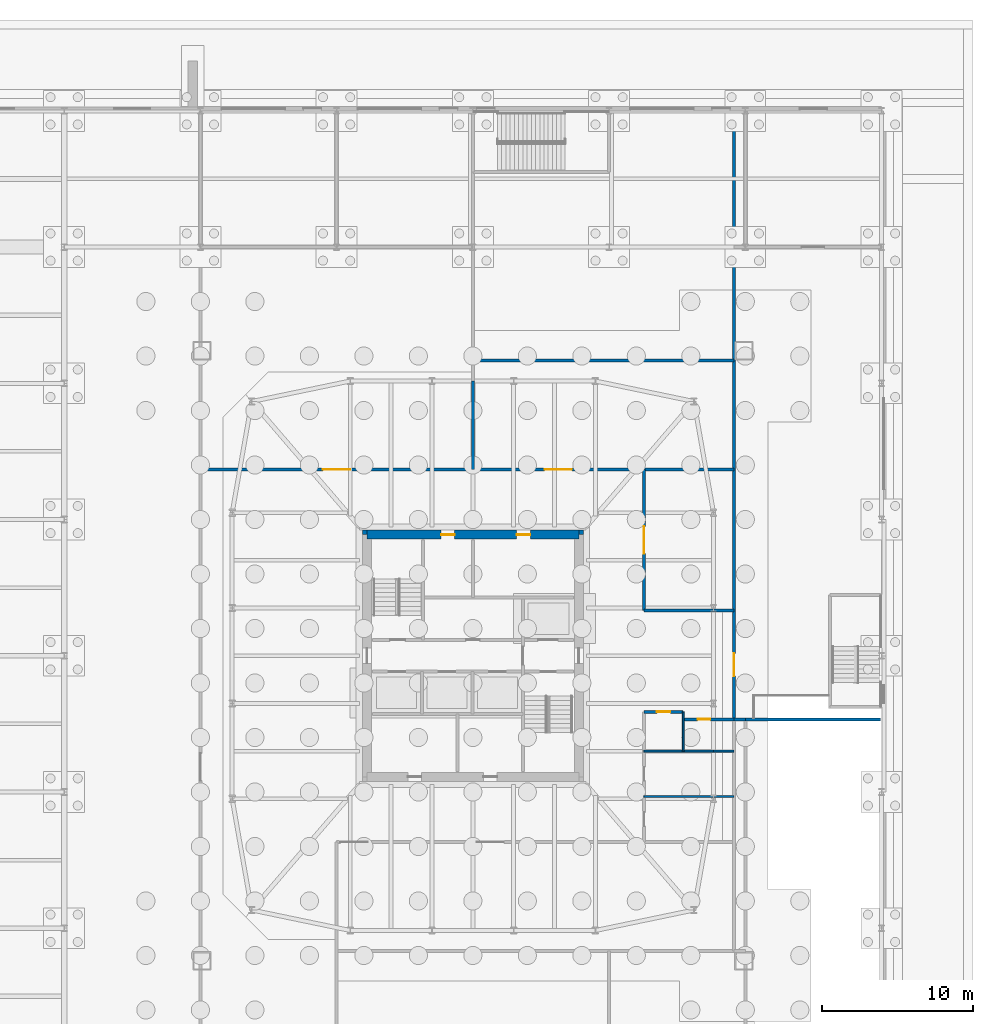
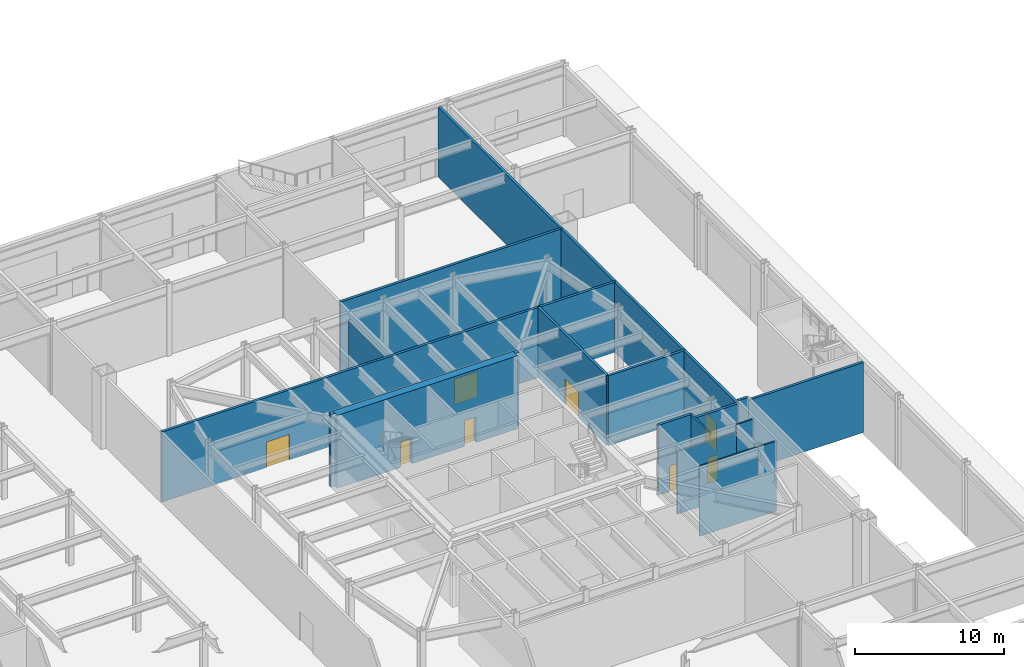
# One storey, part 18 of 37: 17 walls, 8 doors, 8 openings.
"""IFC4 building model written with IfcOpenShell, lengths in metres."""

import ifcopenshell
import ifcopenshell.guid

model = None  # the IFC model being written
_history = None  # IfcOwnerHistory: only IFC2X3 demands one
_inside = {}  # id of a spatial element -> (the spatial element, [elements in it])
_under = {}  # id of a project, library or spatial element -> (it, [spatial elements below it])
_declared = {}  # id of a project -> (the project, [libraries it declares])
_typed = {}  # id of a type object -> (the type object, [elements of that type])
_made_of = {}  # id of a material, layer set ... -> (it, [elements and type objects made of it])


def new_model(schema):
    """Start an empty IFC model of exactly this schema.

    Asked for "IFC4X3", IfcOpenShell would pick the latest addendum, in which some entities
    have other attributes; the version numbers below select the first issue.
    IFC2X3 requires an IfcOwnerHistory on every rooted entity: one is made here for all.
    """
    global model, _history
    if schema == "IFC4X3":
        model = ifcopenshell.file(schema_version=(4, 3, 0, 0))
    else:
        model = ifcopenshell.file(schema=schema)
    _inside.clear()
    _under.clear()
    _declared.clear()
    _typed.clear()
    _made_of.clear()
    _history = None
    if model.schema == "IFC2X3":
        org = make("IfcOrganization", Name="unknown")
        user = make(
            "IfcPersonAndOrganization",
            ThePerson=make("IfcPerson", FamilyName="unknown"),
            TheOrganization=org,
        )
        app = make(
            "IfcApplication",
            ApplicationDeveloper=org,
            Version="unknown",
            ApplicationFullName="unknown",
            ApplicationIdentifier="unknown",
        )
        _history = make(
            "IfcOwnerHistory",
            OwningUser=user,
            OwningApplication=app,
            ChangeAction="ADDED",
            CreationDate=0,
        )
    return model


def make(cls, **values):
    """One entity of the class cls with the attributes given. An attribute that is None is left unset."""
    return model.create_entity(
        cls, **{name: value for name, value in values.items() if value is not None}
    )


def rooted(cls, **values):
    """An entity with a GlobalId (a new one), such as an element, a storey or a relation."""
    return make(cls, GlobalId=ifcopenshell.guid.new(), OwnerHistory=_history, **values)


def si_unit(unit_type, name, prefix=None):
    """IfcSIUnit, for example si_unit("LENGTHUNIT", "METRE", prefix="MILLI")."""
    return make("IfcSIUnit", UnitType=unit_type, Prefix=prefix, Name=name)


def assignment(units):
    """IfcUnitAssignment: the units of a project."""
    return None if units is None else make("IfcUnitAssignment", Units=units)


def point(xyz):
    """IfcCartesianPoint."""
    return None if xyz is None else make("IfcCartesianPoint", Coordinates=xyz)


def direction(xyz):
    """IfcDirection."""
    return None if xyz is None else make("IfcDirection", DirectionRatios=xyz)


def frame(location, z_axis=None, x_axis=None):
    """IfcAxis2Placement3D, a coordinate frame: its origin and axes. An axis left out is left unset."""
    return make(
        "IfcAxis2Placement3D",
        Location=point(location),
        Axis=direction(z_axis),
        RefDirection=direction(x_axis),
    )


def frame_2d(location, x_axis=None):
    """IfcAxis2Placement2D, a coordinate frame in the plane: its origin and x axis."""
    return make(
        "IfcAxis2Placement2D", Location=point(location), RefDirection=direction(x_axis)
    )


def origin():
    """The frame at (0, 0, 0) with its axes left unset."""
    return frame((0.0, 0.0, 0.0))


def place(relative_to, where):
    """IfcLocalPlacement: puts the frame where relative to a parent placement (None: the world)."""
    return make(
        "IfcLocalPlacement", PlacementRelTo=relative_to, RelativePlacement=where
    )


def context(
    kind, dimensions, precision=None, world=None, true_north=None, identifier=None
):
    """IfcGeometricRepresentationContext, for example the 3D "Model" context."""
    return make(
        "IfcGeometricRepresentationContext",
        ContextIdentifier=identifier,
        ContextType=kind,
        CoordinateSpaceDimension=dimensions,
        Precision=precision,
        WorldCoordinateSystem=world,
        TrueNorth=true_north,
    )


def subcontext(parent, identifier, kind, view, scale=None):
    """IfcGeometricRepresentationSubContext, for example "Body" below "Model"."""
    return make(
        "IfcGeometricRepresentationSubContext",
        ContextIdentifier=identifier,
        ContextType=kind,
        ParentContext=parent,
        TargetScale=scale,
        TargetView=view,
    )


def project(units=None, contexts=None):
    """IfcProject with its units and contexts."""
    return rooted(
        "IfcProject",
        Name="project",
        RepresentationContexts=contexts,
        UnitsInContext=assignment(units),
    )


def spatial(cls, under=None, at=None, **own):
    """A site, building, storey or space (cls), placed at a placement, below another one or the project."""
    s = rooted(cls, ObjectPlacement=at, **own)
    if under is not None:
        _under.setdefault(under.id(), (under, []))[1].append(s)
    return s


def profile(cls, at=None, kind="AREA", **sizes):
    """A parametric profile (cls). Its sizes go by their IFC names, for example OverallWidth=200.0."""
    return make(cls, ProfileType=kind, Position=at, **sizes)


def rectangle(**sizes):
    """IfcRectangleProfileDef."""
    return profile("IfcRectangleProfileDef", **sizes)


def extrude(swept, where, along, depth):
    """IfcExtrudedAreaSolid: the profile swept, set in the frame where, extruded along a direction by depth."""
    return make(
        "IfcExtrudedAreaSolid",
        SweptArea=swept,
        Position=where,
        ExtrudedDirection=direction(along),
        Depth=depth,
    )


def shape(context_of_items, identifier, shape_type, items):
    """IfcShapeRepresentation: the items that make up one representation, for example the "Body"."""
    return make(
        "IfcShapeRepresentation",
        ContextOfItems=context_of_items,
        RepresentationIdentifier=identifier,
        RepresentationType=shape_type,
        Items=items,
    )


def material(Name=None, Category=None):
    """IfcMaterial."""
    return make("IfcMaterial", Name=Name, Category=Category)


def layer(
    of_material, thickness, ventilated=None, Name=None, Category=None, Priority=None
):
    """IfcMaterialLayer: one layer of a wall or slab, of a material (None: an air gap)."""
    return make(
        "IfcMaterialLayer",
        Material=of_material,
        LayerThickness=thickness,
        IsVentilated=ventilated,
        Name=Name,
        Category=Category,
        Priority=Priority,
    )


def layer_set(layers, Name=None):
    """IfcMaterialLayerSet."""
    return make("IfcMaterialLayerSet", MaterialLayers=layers, LayerSetName=Name)


def made_of(thing, what):
    """Note that an element or type object is made of a material, layer set ...; save() writes the relation."""
    if what is not None:
        _made_of.setdefault(what.id(), (what, []))[1].append(thing)
    return thing


def type_object(cls, material=None, **own):
    """A type object (cls), such as IfcWallType, which elements share."""
    return made_of(rooted(cls, **own), material)


def element(
    cls,
    number,
    at=None,
    inside=None,
    cuts=None,
    type_object=None,
    material=None,
    context=None,
    identifier="Body",
    shape_type=None,
    held_by="IfcProductDefinitionShape",
    body=None,
    shapes=None,
    **own,
):
    """One element of the class cls, such as IfcWall. Its Tag is "e" and its number.

    at: its placement. inside: the storey or other place that contains it. cuts: it is an
    opening in that element (IfcRelVoidsElement). A single representation is given by context,
    identifier, shape_type and body (its items); several are given by shapes. held_by: the class
    of the entity that holds the representations. save() writes the other relations.
    """
    e = rooted(cls, Tag="e%d" % number, ObjectPlacement=at, **own)
    if body is not None:
        shapes = [shape(context, identifier, shape_type, body)]
    if shapes is not None:
        e.Representation = make(held_by, Representations=shapes)
    if inside is not None:
        _inside.setdefault(inside.id(), (inside, []))[1].append(e)
    if cuts is not None:
        rooted(
            "IfcRelVoidsElement", RelatingBuildingElement=cuts, RelatedOpeningElement=e
        )
    if type_object is not None:
        _typed.setdefault(type_object.id(), (type_object, []))[1].append(e)
    return made_of(e, material)


def fill(opening, filler):
    """IfcRelFillsElement: the door or window that sits in an opening."""
    return rooted(
        "IfcRelFillsElement",
        RelatingOpeningElement=opening,
        RelatedBuildingElement=filler,
    )


def aggregate(whole, parts):
    """IfcRelAggregates: a whole, such as a stair, and the parts it consists of."""
    return rooted("IfcRelAggregates", RelatingObject=whole, RelatedObjects=parts)


def save(model, path):
    """Write the relations noted so far, then the file.

    IfcRelAggregates (storeys below a building ...), IfcRelContainedInSpatialStructure (elements
    in a storey), IfcRelDefinesByType, IfcRelAssociatesMaterial and IfcRelDeclares: one each for
    every whole, place, type object, material and project.
    """
    for whole, parts in _under.values():
        aggregate(whole, parts)
    for where, things in _inside.values():
        rooted(
            "IfcRelContainedInSpatialStructure",
            RelatedElements=things,
            RelatingStructure=where,
        )
    for kind, things in _typed.values():
        rooted("IfcRelDefinesByType", RelatedObjects=things, RelatingType=kind)
    for what, things in _made_of.values():
        rooted("IfcRelAssociatesMaterial", RelatedObjects=things, RelatingMaterial=what)
    for by, libraries in _declared.values():
        rooted("IfcRelDeclares", RelatingContext=by, RelatedDefinitions=libraries)
    model.write(path)


model = new_model("IFC4")

# Units and contexts
model_context = context("Model", 3, precision=1e-05, world=origin(), true_north=direction((0.0, 1.0)))
body_context = subcontext(model_context, "Body", "Model", "MODEL_VIEW")
ifc_project = project(units=[si_unit("LENGTHUNIT", "METRE"), si_unit("AREAUNIT", "SQUARE_METRE"), si_unit("VOLUMEUNIT", "CUBIC_METRE"), si_unit("PLANEANGLEUNIT", "RADIAN"), si_unit("MASSUNIT", "GRAM", prefix="KILO")], contexts=[model_context])

# Site, building, storey
site_placement = place(None, origin())
site = spatial("IfcSite", under=ifc_project, at=site_placement, CompositionType="ELEMENT")
building_placement = place(site_placement, origin())
building = spatial("IfcBuilding", under=site, at=building_placement, Name="Iwan Alto Co-Living Towers", CompositionType="ELEMENT")
storey_placement = place(building_placement, origin())
storey = spatial("IfcBuildingStorey", under=building, at=storey_placement, Name="L00", CompositionType="ELEMENT", Elevation=0.0)

# Wall, opening, door
ifc_material_1 = material(Name="Concrete block masonry f*p 10 MPa", Category="masonry")
ifc_layer_1 = layer(ifc_material_1, 0.199951171875)
ifc_layer_set_1 = layer_set([ifc_layer_1], Name="PODIUM INTERNAL WALL 200")
wall_type_1 = type_object("IfcWallType", Name="PODIUM INTERNAL WALL 200", PredefinedType="SOLIDWALL", material=ifc_layer_set_1)
wall_1_placement = place(storey_placement, frame((76.89990234375, -4.199951171875, 0.0), z_axis=(0.0, 0.0, 1.0), x_axis=(1.0, 0.0, 0.0)))
wall_1 = element("IfcWall", 1, at=wall_1_placement, inside=storey, type_object=wall_type_1, Name="Partition L00", PredefinedType="SOLIDWALL", context=body_context, shape_type="SweptSolid", body=[
    extrude(rectangle(XDim=3.35009765625, YDim=0.199951171875, at=frame_2d((1.675048828125, 0.0))), origin(), (0.0, 0.0, 1.0), 5.75),
])
opening_1_placement = place(wall_1_placement, frame((0.949951171875, 0.0, 0.0)))
opening_1 = element("IfcOpeningElement", 2, at=opening_1_placement, cuts=wall_1, Name="Opening D2", PredefinedType="OPENING", context=body_context, shape_type="SweptSolid", body=[
    extrude(rectangle(XDim=0.85009765625, YDim=2.10009765625, at=frame_2d((0.425048828125, 1.050048828125))), frame((0.0, 0.10986328125, 0.0), z_axis=(0.0, -1.0, 0.0), x_axis=(1.0, 0.0, 0.0)), (0.0, 0.0, 1.0), 0.219970703125),
])
ifc_material_2 = material(Name="Timber leaf in steel frame", Category="steel")
door_type_1 = type_object("IfcDoorType", Name="ROOM DOOR 850X2100", OperationType="SINGLE_SWING_LEFT", PredefinedType="DOOR", material=ifc_material_2)
door_1_placement = place(opening_1_placement, frame((0.85009765625, 0.0, 0.0), z_axis=(0.0, 0.0, 1.0), x_axis=(-1.0, 0.0, 0.0)))
door_1 = element("IfcDoor", 3, at=door_1_placement, inside=storey, type_object=door_type_1, Name="Cleaner's store door L00", OperationType="SINGLE_SWING_RIGHT", OverallHeight=2.10009765625, OverallWidth=0.85009765625, PredefinedType="DOOR", context=body_context, shape_type="SweptSolid", body=[
    extrude(rectangle(XDim=0.85009765625, YDim=2.10009765625, at=frame_2d((0.425048828125, 1.050048828125))), frame((0.0, 0.02490234375, 0.0), z_axis=(0.0, -1.0, 0.0), x_axis=(1.0, 0.0, 0.0)), (0.0, 0.0, 1.0), 0.050048828125),
])
fill(opening_1, door_1)

# Wall
wall_2_placement = place(storey_placement, frame((81.0, -4.199951171875, 0.0), z_axis=(0.0, 0.0, 1.0), x_axis=(1.0, 0.0, 0.0)))
element("IfcWall", 4, at=wall_2_placement, inside=storey, type_object=wall_type_1, Name="Partition L00", PredefinedType="SOLIDWALL", context=body_context, shape_type="SweptSolid", body=[
    extrude(rectangle(XDim=8.93994140625, YDim=0.199951171875, at=frame_2d((4.469970703125, 0.0))), origin(), (0.0, 0.0, 1.0), 5.75),
])

# Wall, opening, door
wall_3_placement = place(storey_placement, frame((74.300048828125, -3.699951171875, 0.0), z_axis=(0.0, 0.0, 1.0), x_axis=(1.0, 0.0, 0.0)))
wall_3 = element("IfcWall", 5, at=wall_3_placement, inside=storey, type_object=wall_type_1, Name="Partition L00", PredefinedType="SOLIDWALL", context=body_context, shape_type="SweptSolid", body=[
    extrude(rectangle(XDim=2.599853515625, YDim=0.199951171875, at=frame_2d((1.2998046875, 0.0))), origin(), (0.0, 0.0, 1.0), 5.75),
])
opening_2_placement = place(wall_3_placement, frame((0.85009765625, 0.0, 0.0)))
opening_2 = element("IfcOpeningElement", 6, at=opening_2_placement, cuts=wall_3, Name="Opening D4", PredefinedType="OPENING", context=body_context, shape_type="SweptSolid", body=[
    extrude(rectangle(XDim=0.89990234375, YDim=2.10009765625, at=frame_2d((0.449951171875, 1.050048828125))), frame((0.0, 0.10986328125, 0.0), z_axis=(0.0, -1.0, 0.0), x_axis=(1.0, 0.0, 0.0)), (0.0, 0.0, 1.0), 0.219970703125),
])
ifc_material_3 = material(Name="Timber leaf in steel frame", Category="steel")
door_type_2 = type_object("IfcDoorType", Name="WC DOOR 900X2100", OperationType="SINGLE_SWING_LEFT", PredefinedType="DOOR", material=ifc_material_3)
door_2_placement = place(opening_2_placement, frame((0.89990234375, 0.0, 0.0), z_axis=(0.0, 0.0, 1.0), x_axis=(-1.0, 0.0, 0.0)))
door_2 = element("IfcDoor", 7, at=door_2_placement, inside=storey, type_object=door_type_2, Name="Accessible WC door L00", OperationType="SINGLE_SWING_RIGHT", OverallHeight=2.10009765625, OverallWidth=0.89990234375, PredefinedType="DOOR", context=body_context, shape_type="SweptSolid", body=[
    extrude(rectangle(XDim=0.89990234375, YDim=2.10009765625, at=frame_2d((0.449951171875, 1.050048828125))), frame((0.0, 0.02490234375, 0.0), z_axis=(0.0, -1.0, 0.0), x_axis=(1.0, 0.0, 0.0)), (0.0, 0.0, 1.0), 0.050048828125),
])
fill(opening_2, door_2)

# Wall
wall_4_placement = place(storey_placement, frame((74.300048828125, 3.0, 0.0), z_axis=(0.0, 0.0, 1.0), x_axis=(1.0, 0.0, 0.0)))
element("IfcWall", 8, at=wall_4_placement, inside=storey, type_object=wall_type_1, Name="Partition L00", PredefinedType="SOLIDWALL", context=body_context, shape_type="SweptSolid", body=[
    extrude(rectangle(XDim=5.949951171875, YDim=0.199951171875, at=frame_2d((2.97509765625, 0.0))), origin(), (0.0, 0.0, 1.0), 5.75),
])

# Wall, openings, doors
wall_5_placement = place(storey_placement, frame((45.0, 12.300048828125, 0.0), z_axis=(0.0, 0.0, 1.0), x_axis=(1.0, 0.0, 0.0)))
wall_5 = element("IfcWall", 9, at=wall_5_placement, inside=storey, type_object=wall_type_1, Name="Partition L00", PredefinedType="SOLIDWALL", context=body_context, shape_type="SweptSolid", body=[
    extrude(rectangle(XDim=35.25, YDim=0.199951171875, at=frame_2d((17.625, 0.0))), origin(), (0.0, 0.0, 1.0), 5.75),
])
opening_3_placement = place(wall_5_placement, frame((8.10009765625, 0.0, 0.0)))
opening_3 = element("IfcOpeningElement", 10, at=opening_3_placement, cuts=wall_5, Name="Opening D9", PredefinedType="OPENING", context=body_context, shape_type="SweptSolid", body=[
    extrude(rectangle(XDim=1.800048828125, YDim=2.10009765625, at=frame_2d((0.89990234375, 1.050048828125))), frame((0.0, 0.10986328125, 0.0), z_axis=(0.0, -1.0, 0.0), x_axis=(1.0, 0.0, 0.0)), (0.0, 0.0, 1.0), 0.219970703125),
])
opening_4_placement = place(wall_5_placement, frame((22.75, 0.0, 0.0)))
opening_4 = element("IfcOpeningElement", 11, at=opening_4_placement, cuts=wall_5, Name="Opening D9", PredefinedType="OPENING", context=body_context, shape_type="SweptSolid", body=[
    extrude(rectangle(XDim=1.800048828125, YDim=2.10009765625, at=frame_2d((0.89990234375, 1.050048828125))), frame((0.0, 0.10986328125, 0.0), z_axis=(0.0, -1.0, 0.0), x_axis=(1.0, 0.0, 0.0)), (0.0, 0.0, 1.0), 0.219970703125),
])
ifc_material_4 = material(Name="Steel frame with timber leaf", Category="steel")
door_type_3 = type_object("IfcDoorType", Name="LOUNGE DOOR FD30S 1800X2100", OperationType="DOUBLE_DOOR_SINGLE_SWING", PredefinedType="DOOR", material=ifc_material_4)
door_3_placement = place(opening_3_placement, origin())
door_3 = element("IfcDoor", 12, at=door_3_placement, inside=storey, type_object=door_type_3, Name="Children's play room door L00", OperationType="DOUBLE_DOOR_SINGLE_SWING", OverallHeight=2.10009765625, OverallWidth=1.800048828125, PredefinedType="DOOR", context=body_context, shape_type="SweptSolid", body=[
    extrude(rectangle(XDim=1.800048828125, YDim=2.10009765625, at=frame_2d((0.89990234375, 1.050048828125))), frame((0.0, 0.02490234375, 0.0), z_axis=(0.0, -1.0, 0.0), x_axis=(1.0, 0.0, 0.0)), (0.0, 0.0, 1.0), 0.050048828125),
])
fill(opening_3, door_3)
door_4_placement = place(opening_4_placement, origin())
door_4 = element("IfcDoor", 13, at=door_4_placement, inside=storey, type_object=door_type_3, Name="Residents' lounge door L00", OperationType="DOUBLE_DOOR_SINGLE_SWING", OverallHeight=2.10009765625, OverallWidth=1.800048828125, PredefinedType="DOOR", context=body_context, shape_type="SweptSolid", body=[
    extrude(rectangle(XDim=1.800048828125, YDim=2.10009765625, at=frame_2d((0.89990234375, 1.050048828125))), frame((0.0, 0.02490234375, 0.0), z_axis=(0.0, -1.0, 0.0), x_axis=(1.0, 0.0, 0.0)), (0.0, 0.0, 1.0), 0.050048828125),
])
fill(opening_4, door_4)

# Wall
wall_6_placement = place(storey_placement, frame((63.0, 19.5, 0.0), z_axis=(0.0, 0.0, 1.0), x_axis=(1.0, 0.0, 0.0)))
element("IfcWall", 14, at=wall_6_placement, inside=storey, type_object=wall_type_1, Name="Partition L00", PredefinedType="SOLIDWALL", context=body_context, shape_type="SweptSolid", body=[
    extrude(rectangle(XDim=17.25, YDim=0.199951171875, at=frame_2d((8.625, 0.0))), origin(), (0.0, 0.0, 1.0), 5.75),
])

# Wall, opening, door
wall_7_placement = place(storey_placement, frame((80.25, -4.199951171875, 0.0), z_axis=(0.0, 0.0, 1.0), x_axis=(0.0, 1.0, 0.0)))
wall_7 = element("IfcWall", 15, at=wall_7_placement, inside=storey, type_object=wall_type_1, Name="Partition L00", PredefinedType="SOLIDWALL", context=body_context, shape_type="SweptSolid", body=[
    extrude(rectangle(XDim=40.139892578125, YDim=0.199951171875, at=frame_2d((20.06982421875, 0.0))), origin(), (0.0, 0.0, 1.0), 5.75),
])
opening_5_placement = place(wall_7_placement, frame((2.85009765625, 0.0, 0.0)))
opening_5 = element("IfcOpeningElement", 16, at=opening_5_placement, cuts=wall_7, Name="Opening D13", PredefinedType="OPENING", context=body_context, shape_type="SweptSolid", body=[
    extrude(rectangle(XDim=1.5, YDim=2.39990234375, at=frame_2d((0.75, 1.199951171875))), frame((0.0, 0.10986328125, 0.0), z_axis=(0.0, -1.0, 0.0), x_axis=(1.0, 0.0, 0.0)), (0.0, 0.0, 1.0), 0.219970703125),
])
ifc_material_5 = material(Name="Steel frame with timber leaf", Category="steel")
door_type_4 = type_object("IfcDoorType", Name="SERVICE DOOR FD60 1500X2400", OperationType="DOUBLE_DOOR_SINGLE_SWING", PredefinedType="DOOR", material=ifc_material_5)
door_5_placement = place(opening_5_placement, frame((1.5, 0.0, 0.0), z_axis=(0.0, 0.0, 1.0), x_axis=(-1.0, 0.0, 0.0)))
door_5 = element("IfcDoor", 17, at=door_5_placement, inside=storey, type_object=door_type_4, Name="Loading bay door L00", OperationType="DOUBLE_DOOR_SINGLE_SWING", OverallHeight=2.39990234375, OverallWidth=1.5, PredefinedType="DOOR", context=body_context, shape_type="SweptSolid", body=[
    extrude(rectangle(XDim=1.5, YDim=2.39990234375, at=frame_2d((0.75, 1.199951171875))), frame((0.0, 0.02490234375, 0.0), z_axis=(0.0, -1.0, 0.0), x_axis=(1.0, 0.0, 0.0)), (0.0, 0.0, 1.0), 0.050048828125),
])
fill(opening_5, door_5)

wall_8_placement = place(storey_placement, frame((74.300048828125, 3.0, 0.0), z_axis=(0.0, 0.0, 1.0), x_axis=(0.0, 1.0, 0.0)))
wall_8 = element("IfcWall", 18, at=wall_8_placement, inside=storey, type_object=wall_type_1, Name="Partition L00", PredefinedType="SOLIDWALL", context=body_context, shape_type="SweptSolid", body=[
    extrude(rectangle(XDim=9.300048828125, YDim=0.199951171875, at=frame_2d((4.64990234375, 0.0))), origin(), (0.0, 0.0, 1.0), 5.75),
])
opening_6_placement = place(wall_8_placement, frame((3.75, 0.0, 0.0)))
opening_6 = element("IfcOpeningElement", 19, at=opening_6_placement, cuts=wall_8, Name="Opening D9", PredefinedType="OPENING", context=body_context, shape_type="SweptSolid", body=[
    extrude(rectangle(XDim=1.800048828125, YDim=2.10009765625, at=frame_2d((0.89990234375, 1.050048828125))), frame((0.0, 0.10986328125, 0.0), z_axis=(0.0, -1.0, 0.0), x_axis=(1.0, 0.0, 0.0)), (0.0, 0.0, 1.0), 0.219970703125),
])
door_6_placement = place(opening_6_placement, frame((1.800048828125, 0.0, 0.0), z_axis=(0.0, 0.0, 1.0), x_axis=(-1.0, 0.0, 0.0)))
door_6 = element("IfcDoor", 20, at=door_6_placement, inside=storey, type_object=door_type_3, Name="Concierge office door L00", OperationType="DOUBLE_DOOR_SINGLE_SWING", OverallHeight=2.10009765625, OverallWidth=1.800048828125, PredefinedType="DOOR", context=body_context, shape_type="SweptSolid", body=[
    extrude(rectangle(XDim=1.800048828125, YDim=2.10009765625, at=frame_2d((0.89990234375, 1.050048828125))), frame((0.0, 0.02490234375, 0.0), z_axis=(0.0, -1.0, 0.0), x_axis=(1.0, 0.0, 0.0)), (0.0, 0.0, 1.0), 0.050048828125),
])
fill(opening_6, door_6)

# Walls
wall_9_placement = place(storey_placement, frame((63.0, 12.300048828125, 0.0), z_axis=(0.0, 0.0, 1.0), x_axis=(0.0, 1.0, 0.0)))
element("IfcWall", 21, at=wall_9_placement, inside=storey, type_object=wall_type_1, Name="Partition L00", PredefinedType="SOLIDWALL", context=body_context, shape_type="SweptSolid", body=[
    extrude(rectangle(XDim=5.849853515625, YDim=0.199951171875, at=frame_2d((2.9248046875, 0.0))), origin(), (0.0, 0.0, 1.0), 5.066650390625),
])
ifc_material_6 = material(Name="Concrete f'c 70 MPa", Category="concrete")
ifc_layer_2 = layer(ifc_material_6, 0.199951171875)
ifc_layer_set_2 = layer_set([ifc_layer_2], Name="SHAFT WALL 200")
wall_type_2 = type_object("IfcWallType", Name="SHAFT WALL 200", PredefinedType="SOLIDWALL", material=ifc_layer_set_2)
wall_10_placement = place(storey_placement, frame((80.25, -4.199951171875, -0.25), z_axis=(0.0, 0.0, 1.0), x_axis=(1.0, 0.0, 0.0)))
element("IfcWall", 22, at=wall_10_placement, inside=storey, type_object=wall_type_2, Name="Shaft wall L00", PredefinedType="SOLIDWALL", context=body_context, shape_type="SweptSolid", body=[
    extrude(rectangle(XDim=0.75, YDim=0.199951171875, at=frame_2d((0.375, 0.0))), origin(), (0.0, 0.0, 1.0), 6.25),
])
ifc_material_7 = material(Name="Concrete f'c 70 MPa", Category="concrete")
ifc_layer_3 = layer(ifc_material_7, 0.300048828125)
ifc_layer_set_3 = layer_set([ifc_layer_3], Name="T2 CORE CORNER FILL 300")
wall_type_3 = type_object("IfcWallType", Name="T2 CORE CORNER FILL 300", PredefinedType="SOLIDWALL", material=ifc_layer_set_3)
for number, where, z_axis, x_axis, name in (
    (23, (70.0, 8.14990234375, 0.0), (0.0, 0.0, 1.0), (1.0, 0.0, 0.0), "T2 core corner NE L00"),
    (24, (55.699951171875, 8.14990234375, 0.0), (0.0, 0.0, 1.0), (1.0, 0.0, 0.0), "T2 core corner NW L00"),
):
    element("IfcWall", number, at=place(storey_placement, frame(where, z_axis=z_axis, x_axis=x_axis)), inside=storey, type_object=wall_type_3, Name=name, PredefinedType="SOLIDWALL", context=body_context, shape_type="SweptSolid", body=[
        extrude(rectangle(XDim=0.300048828125, YDim=0.300048828125, at=frame_2d((0.14990234375, 0.0))), origin(), (0.0, 0.0, 1.0), 6.0),
    ])

# Wall, openings, doors
ifc_material_8 = material(Name="Concrete f'c 70 MPa", Category="concrete")
ifc_layer_4 = layer(ifc_material_8, 0.60009765625)
ifc_layer_set_4 = layer_set([ifc_layer_4], Name="T2 CORE WALL 600")
wall_type_4 = type_object("IfcWallType", Name="T2 CORE WALL 600", PredefinedType="SHEAR", material=ifc_layer_set_4)
wall_11_placement = place(storey_placement, frame((70.0, 8.0, 0.0), z_axis=(0.0, 0.0, 1.0), x_axis=(-1.0, 0.0, 0.0)))
wall_11 = element("IfcWall", 25, at=wall_11_placement, inside=storey, type_object=wall_type_4, Name="T2 core wall N L00", PredefinedType="SHEAR", context=body_context, shape_type="SweptSolid", body=[
    extrude(rectangle(XDim=14.0, YDim=0.60009765625, at=frame_2d((7.0, 0.0))), origin(), (0.0, 0.0, 1.0), 6.0),
])
opening_7_placement = place(wall_11_placement, frame((8.199951171875, 0.0, 0.0)))
opening_7 = element("IfcOpeningElement", 26, at=opening_7_placement, cuts=wall_11, Name="Opening D8", PredefinedType="OPENING", context=body_context, shape_type="SweptSolid", body=[
    extrude(rectangle(XDim=0.89990234375, YDim=2.10009765625, at=frame_2d((0.449951171875, 1.050048828125))), frame((0.0, 0.31005859375, 0.0), z_axis=(0.0, -1.0, 0.0), x_axis=(1.0, 0.0, 0.0)), (0.0, 0.0, 1.0), 0.6201171875),
])
opening_8_placement = place(wall_11_placement, frame((3.199951171875, 0.0, 0.0)))
opening_8 = element("IfcOpeningElement", 27, at=opening_8_placement, cuts=wall_11, Name="Opening D8", PredefinedType="OPENING", context=body_context, shape_type="SweptSolid", body=[
    extrude(rectangle(XDim=0.89990234375, YDim=2.10009765625, at=frame_2d((0.449951171875, 1.050048828125))), frame((0.0, 0.31005859375, 0.0), z_axis=(0.0, -1.0, 0.0), x_axis=(1.0, 0.0, 0.0)), (0.0, 0.0, 1.0), 0.6201171875),
])
ifc_material_9 = material(Name="Steel frame with timber leaf", Category="steel")
door_type_5 = type_object("IfcDoorType", Name="RISER DOOR FD120 900X2100", OperationType="SINGLE_SWING_LEFT", PredefinedType="DOOR", material=ifc_material_9)
door_7_placement = place(opening_7_placement, origin())
door_7 = element("IfcDoor", 28, at=door_7_placement, inside=storey, type_object=door_type_5, Name="Electrical riser core door L00", OperationType="SINGLE_SWING_RIGHT", OverallHeight=2.10009765625, OverallWidth=0.89990234375, PredefinedType="DOOR", context=body_context, shape_type="SweptSolid", body=[
    extrude(rectangle(XDim=0.89990234375, YDim=2.10009765625, at=frame_2d((0.449951171875, 1.050048828125))), frame((0.0, 0.02490234375, 0.0), z_axis=(0.0, -1.0, 0.0), x_axis=(1.0, 0.0, 0.0)), (0.0, 0.0, 1.0), 0.050048828125),
])
fill(opening_7, door_7)
door_8_placement = place(opening_8_placement, origin())
door_8 = element("IfcDoor", 29, at=door_8_placement, inside=storey, type_object=door_type_5, Name="Water and drainage riser core door L00", OperationType="SINGLE_SWING_RIGHT", OverallHeight=2.10009765625, OverallWidth=0.89990234375, PredefinedType="DOOR", context=body_context, shape_type="SweptSolid", body=[
    extrude(rectangle(XDim=0.89990234375, YDim=2.10009765625, at=frame_2d((0.449951171875, 1.050048828125))), frame((0.0, 0.02490234375, 0.0), z_axis=(0.0, -1.0, 0.0), x_axis=(1.0, 0.0, 0.0)), (0.0, 0.0, 1.0), 0.050048828125),
])
fill(opening_8, door_8)

# Walls
ifc_material_10 = material(Name="Cement board")
ifc_layer_5 = layer(ifc_material_10, 0.012451171875, Name="Board", Category="Finish")
ifc_material_11 = material(Name="Steel ASTM A1003 ST33H cold-formed studs", Category="steel")
ifc_layer_6 = layer(ifc_material_11, 0.094970703125, Name="Studs", Category="Framing")
ifc_layer_7 = layer(ifc_material_10, 0.012451171875, Name="Board", Category="Finish")
ifc_layer_set_5 = layer_set([ifc_layer_5, ifc_layer_6, ifc_layer_7], Name="WET AREA PARTITION 120")
wall_type_5 = type_object("IfcWallType", Name="WET AREA PARTITION 120", PredefinedType="PARTITIONING", material=ifc_layer_set_5)
wall_12_placement = place(storey_placement, frame((74.300048828125, -9.300048828125, 0.0), z_axis=(0.0, 0.0, 1.0), x_axis=(1.0, 0.0, 0.0)))
element("IfcWall", 30, at=wall_12_placement, inside=storey, type_object=wall_type_5, Name="Partition L00", PredefinedType="PARTITIONING", context=body_context, shape_type="SweptSolid", body=[
    extrude(rectangle(XDim=5.949951171875, YDim=0.1201171875, at=frame_2d((2.97509765625, 0.0))), origin(), (0.0, 0.0, 1.0), 5.75),
])
wall_13_placement = place(storey_placement, frame((74.300048828125, -6.300048828125, 0.0), z_axis=(0.0, 0.0, 1.0), x_axis=(1.0, 0.0, 0.0)))
element("IfcWall", 31, at=wall_13_placement, inside=storey, type_object=wall_type_5, Name="Partition L00", PredefinedType="PARTITIONING", context=body_context, shape_type="SweptSolid", body=[
    extrude(rectangle(XDim=4.599853515625, YDim=0.1201171875, at=frame_2d((2.2998046875, 0.0))), origin(), (0.0, 0.0, 1.0), 5.142822265625),
])
wall_14_placement = place(storey_placement, frame((76.89990234375, -6.300048828125, 0.0), z_axis=(0.0, 0.0, 1.0), x_axis=(0.0, 1.0, 0.0)))
element("IfcWall", 32, at=wall_14_placement, inside=storey, type_object=wall_type_5, Name="Partition L00", PredefinedType="PARTITIONING", context=body_context, shape_type="SweptSolid", body=[
    extrude(rectangle(XDim=2.60009765625, YDim=0.1201171875, at=frame_2d((1.300048828125, 0.0))), origin(), (0.0, 0.0, 1.0), 5.75),
])
wall_15_placement = place(storey_placement, frame((78.89990234375, -6.300048828125, 0.0), z_axis=(0.0, 0.0, 1.0), x_axis=(1.0, 0.0, 0.0)))
element("IfcWall", 33, at=wall_15_placement, inside=storey, type_object=wall_type_5, Name="Partition L00", PredefinedType="PARTITIONING", context=body_context, shape_type="SweptSolid", body=[
    extrude(rectangle(XDim=1.35009765625, YDim=0.1201171875, at=frame_2d((0.675048828125, 0.0))), origin(), (0.0, 0.0, 1.0), 5.75),
])

save(model, "model.ifc")
